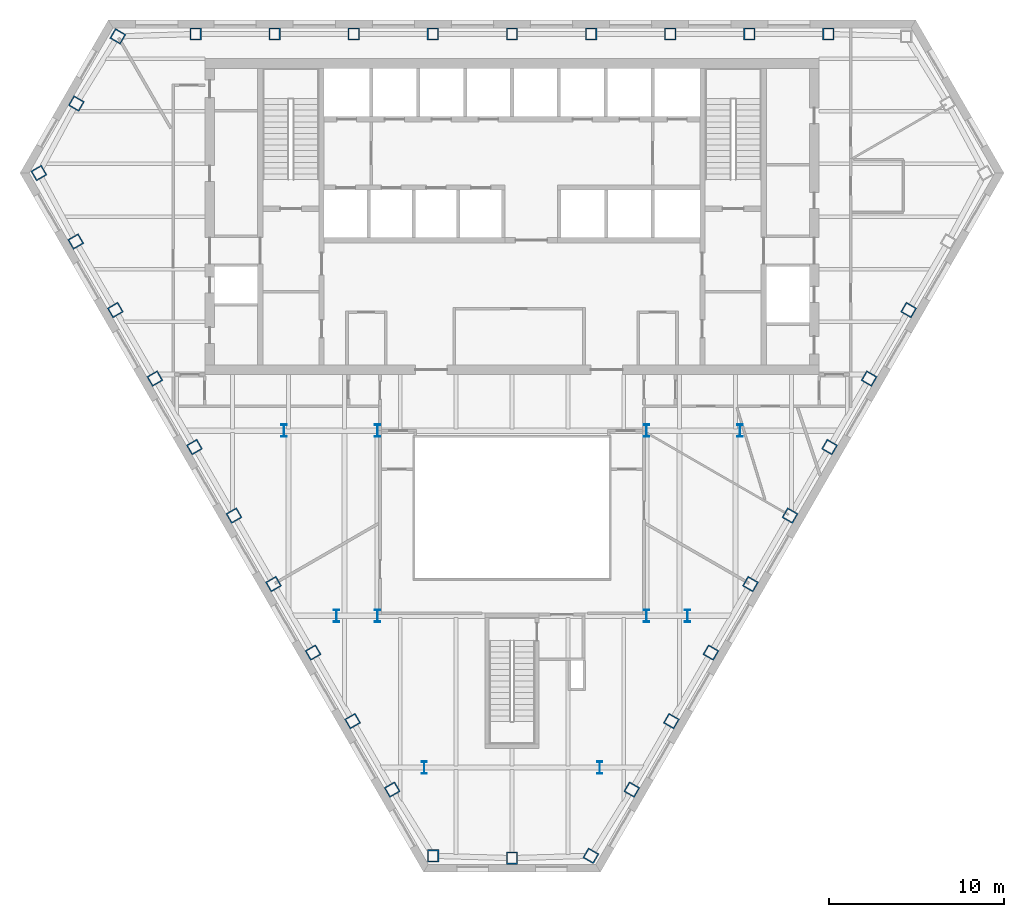
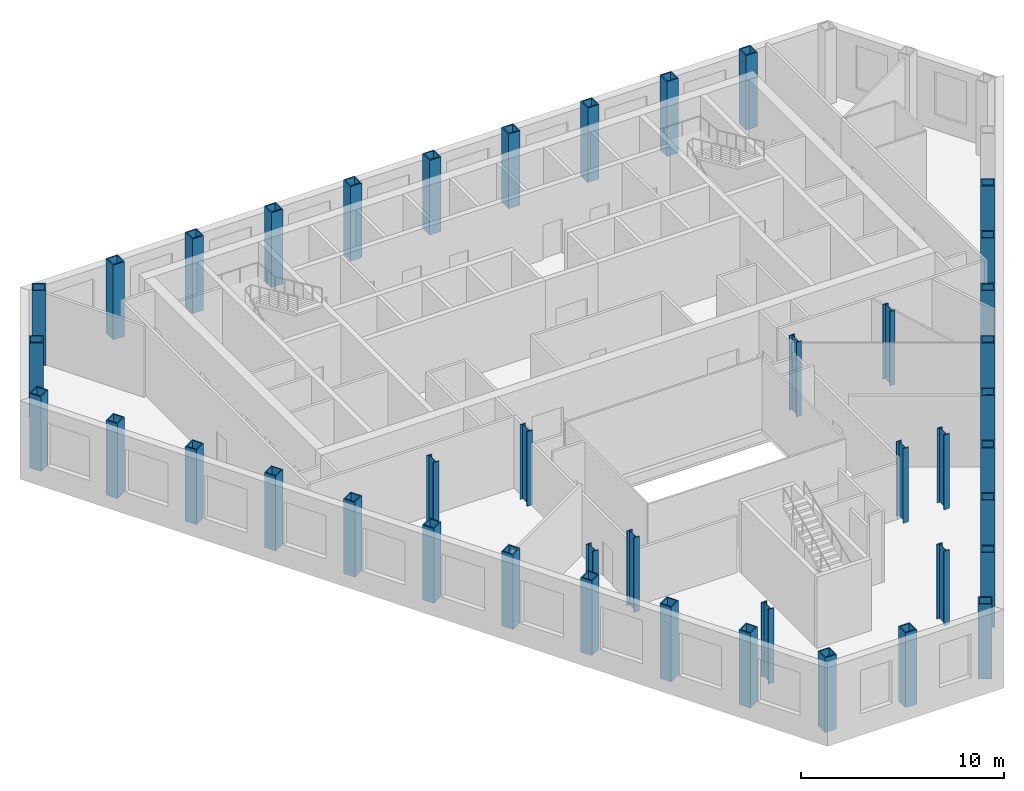
# One storey, part 1 of 11: 42 columns.
"""IFC4 building model written with IfcOpenShell, lengths in metres."""

from ifc_helpers import new_model, si_unit, direction, frame, origin, origin_2d, place, context, subcontext, project, spatial, hollow_rectangle, i_section, extrude, material, material_profile, profile_set, type_object, element, save


model = new_model("IFC4")

# Units and contexts
model_context = context("Model", 3, precision=1e-05, world=origin(), true_north=direction((0.0, 1.0)))
body_context = subcontext(model_context, "Body", "Model", "MODEL_VIEW")
ifc_project = project(units=[si_unit("LENGTHUNIT", "METRE"), si_unit("AREAUNIT", "SQUARE_METRE"), si_unit("VOLUMEUNIT", "CUBIC_METRE"), si_unit("PLANEANGLEUNIT", "RADIAN"), si_unit("MASSUNIT", "GRAM", prefix="KILO")], contexts=[model_context])

# Site, building, storey
site_placement = place(None, origin())
site = spatial("IfcSite", under=ifc_project, at=site_placement, CompositionType="ELEMENT")
building_placement = place(site_placement, origin())
building = spatial("IfcBuilding", under=site, at=building_placement, Name="Njiva Tower", CompositionType="ELEMENT")
storey_placement = place(building_placement, frame((0.0, 0.0, 106.8)))
storey = spatial("IfcBuildingStorey", under=building, at=storey_placement, Name="L22", CompositionType="ELEMENT", Elevation=106.8)

# Columns
ifc_material = material(Name="Steel S355 J2", Category="steel")
ifc_material_profile_1 = material_profile(ifc_material, hollow_rectangle(XDim=0.65, YDim=0.7, WallThickness=0.065, at=origin_2d()), Name="BOX 700x650x65")
ifc_profile_set_1 = profile_set([ifc_material_profile_1], Name="Steel S355 J2")
column_type_1 = type_object("IfcColumnType", Name="C7 Perimeter tube column BOX 700x650x65", PredefinedType="COLUMN", material=ifc_profile_set_1)
for number, where, z_axis, x_axis, name in (
    (1, (18.03, 19.4, 0.0), (0.0, 0.0, 1.0), (-1.0, 0.0, 0.0), "Perimeter tube column S07-C02"),
    (2, (13.523, 19.4, 0.0), (0.0, 0.0, 1.0), (-1.0, 0.0, 0.0), "Perimeter tube column S07-C03"),
    (3, (9.015, 19.4, 0.0), (0.0, 0.0, 1.0), (-1.0, 0.0, 0.0), "Perimeter tube column S07-C04"),
    (4, (4.508, 19.4, 0.0), (0.0, 0.0, 1.0), (-1.0, 0.0, 0.0), "Perimeter tube column S07-C05"),
    (5, (0.0, 19.4, 0.0), (0.0, 0.0, 1.0), (-1.0, 0.0, 0.0), "Perimeter tube column S07-C06"),
    (6, (-4.508, 19.4, 0.0), (0.0, 0.0, 1.0), (-1.0, 0.0, 0.0), "Perimeter tube column S07-C07"),
    (7, (-9.015, 19.4, 0.0), (0.0, 0.0, 1.0), (-1.0, 0.0, 0.0), "Perimeter tube column S07-C08"),
    (8, (-13.523, 19.4, 0.0), (0.0, 0.0, 1.0), (-1.0, 0.0, 0.0), "Perimeter tube column S07-C09"),
    (9, (-18.03, 19.4, 0.0), (0.0, 0.0, 1.0), (-1.0, 0.0, 0.0), "Perimeter tube column S07-C10"),
    (10, (-22.461, 19.267, 0.0), (0.0, 0.0, 1.0), (-0.5, -0.866025403784, 0.0), "Perimeter tube column S07-C11"),
    (11, (-24.825, 15.44, 0.0), (0.0, 0.0, 1.0), (-0.5, -0.866025403784, 0.0), "Perimeter tube column S07-C12"),
    (12, (-26.958, 11.479, 0.0), (0.0, 0.0, 1.0), (0.5, -0.866025403784, 0.0), "Perimeter tube column S07-C13"),
    (13, (-24.857, 7.575, 0.0), (0.0, 0.0, 1.0), (0.5, -0.866025403784, 0.0), "Perimeter tube column S07-C14"),
    (14, (-22.604, 3.672, 0.0), (0.0, 0.0, 1.0), (0.5, -0.866025403784, 0.0), "Perimeter tube column S07-C15"),
    (15, (-20.35, -0.232, 0.0), (0.0, 0.0, 1.0), (0.5, -0.866025403784, 0.0), "Perimeter tube column S07-C16"),
    (16, (-18.096, -4.136, 0.0), (0.0, 0.0, 1.0), (0.5, -0.866025403784, 0.0), "Perimeter tube column S07-C17"),
    (17, (-15.842, -8.039, 0.0), (0.0, 0.0, 1.0), (0.5, -0.866025403784, 0.0), "Perimeter tube column S07-C18"),
    (18, (-13.588, -11.943, 0.0), (0.0, 0.0, 1.0), (0.5, -0.866025403784, 0.0), "Perimeter tube column S07-C19"),
    (19, (-11.335, -15.847, 0.0), (0.0, 0.0, 1.0), (0.5, -0.866025403784, 0.0), "Perimeter tube column S07-C20"),
    (20, (-9.081, -19.751, 0.0), (0.0, 0.0, 1.0), (0.5, -0.866025403784, 0.0), "Perimeter tube column S07-C21"),
    (21, (-6.827, -23.654, 0.0), (0.0, 0.0, 1.0), (0.5, -0.866025403784, 0.0), "Perimeter tube column S07-C22"),
    (22, (-4.496, -27.425, 0.0), (0.0, 0.0, 1.0), (1.0, 0.0, 0.0), "Perimeter tube column S07-C23"),
    (23, (0.0, -27.558, 0.0), (0.0, 0.0, 1.0), (1.0, 0.0, 0.0), "Perimeter tube column S07-C24"),
    (24, (4.496, -27.425, 0.0), (0.0, 0.0, 1.0), (0.5, 0.866025403784, 0.0), "Perimeter tube column S07-C25"),
    (25, (6.827, -23.654, 0.0), (0.0, 0.0, 1.0), (0.5, 0.866025403784, 0.0), "Perimeter tube column S07-C26"),
    (26, (9.081, -19.751, 0.0), (0.0, 0.0, 1.0), (0.5, 0.866025403784, 0.0), "Perimeter tube column S07-C27"),
    (27, (11.335, -15.847, 0.0), (0.0, 0.0, 1.0), (0.5, 0.866025403784, 0.0), "Perimeter tube column S07-C28"),
    (28, (13.588, -11.943, 0.0), (0.0, 0.0, 1.0), (0.5, 0.866025403784, 0.0), "Perimeter tube column S07-C29"),
    (29, (15.842, -8.039, 0.0), (0.0, 0.0, 1.0), (0.5, 0.866025403784, 0.0), "Perimeter tube column S07-C30"),
    (30, (18.096, -4.136, 0.0), (0.0, 0.0, 1.0), (0.5, 0.866025403784, 0.0), "Perimeter tube column S07-C31"),
    (31, (20.35, -0.232, 0.0), (0.0, 0.0, 1.0), (0.5, 0.866025403784, 0.0), "Perimeter tube column S07-C32"),
    (32, (22.604, 3.672, 0.0), (0.0, 0.0, 1.0), (0.5, 0.866025403784, 0.0), "Perimeter tube column S07-C33"),
):
    element("IfcColumn", number, at=place(storey_placement, frame(where, z_axis=z_axis, x_axis=x_axis)), inside=storey, type_object=column_type_1, Name=name, PredefinedType="COLUMN", context=body_context, shape_type="SweptSolid", body=[
        extrude(hollow_rectangle(XDim=0.65, YDim=0.7, WallThickness=0.065, at=origin_2d()), origin(), (0.0, 0.0, 1.0), 4.5),
    ])
ifc_material_profile_2 = material_profile(ifc_material, i_section(OverallWidth=0.304, OverallDepth=0.716, WebThickness=0.021, FlangeThickness=0.04, at=origin_2d()), Name="HEM 700")
ifc_profile_set_2 = profile_set([ifc_material_profile_2], Name="Steel S355 J2")
column_type_2 = type_object("IfcColumnType", Name="C8 Interior column HEM 700", PredefinedType="COLUMN", material=ifc_profile_set_2)
for number, where, z_axis, x_axis, name in (
    (33, (7.67, -3.2, 0.0), (0.0, 0.0, 1.0), (1.0, 0.0, 0.0), "Interior column S07-C37"),
    (34, (-7.67, -3.2, 0.0), (0.0, 0.0, 1.0), (1.0, 0.0, 0.0), "Interior column S07-C38"),
    (35, (7.67, -13.75, 0.0), (0.0, 0.0, 1.0), (1.0, 0.0, 0.0), "Interior column S07-C39"),
    (36, (-7.67, -13.75, 0.0), (0.0, 0.0, 1.0), (1.0, 0.0, 0.0), "Interior column S07-C40"),
    (37, (5.0, -22.4, 0.0), (0.0, 0.0, 1.0), (1.0, 0.0, 0.0), "Interior column S07-C41"),
    (38, (-5.0, -22.4, 0.0), (0.0, 0.0, 1.0), (1.0, 0.0, 0.0), "Interior column S07-C42"),
    (39, (13.0, -3.2, 0.0), (0.0, 0.0, 1.0), (1.0, 0.0, 0.0), "Interior column S07-C43"),
    (40, (-13.0, -3.2, 0.0), (0.0, 0.0, 1.0), (1.0, 0.0, 0.0), "Interior column S07-C44"),
    (41, (10.0, -13.75, 0.0), (0.0, 0.0, 1.0), (1.0, 0.0, 0.0), "Interior column S07-C45"),
    (42, (-10.0, -13.75, 0.0), (0.0, 0.0, 1.0), (1.0, 0.0, 0.0), "Interior column S07-C46"),
):
    element("IfcColumn", number, at=place(storey_placement, frame(where, z_axis=z_axis, x_axis=x_axis)), inside=storey, type_object=column_type_2, Name=name, PredefinedType="COLUMN", context=body_context, shape_type="SweptSolid", body=[
        extrude(i_section(OverallWidth=0.304, OverallDepth=0.716, WebThickness=0.021, FlangeThickness=0.04, at=origin_2d()), origin(), (0.0, 0.0, 1.0), 4.5),
    ])

save(model, "model.ifc")
